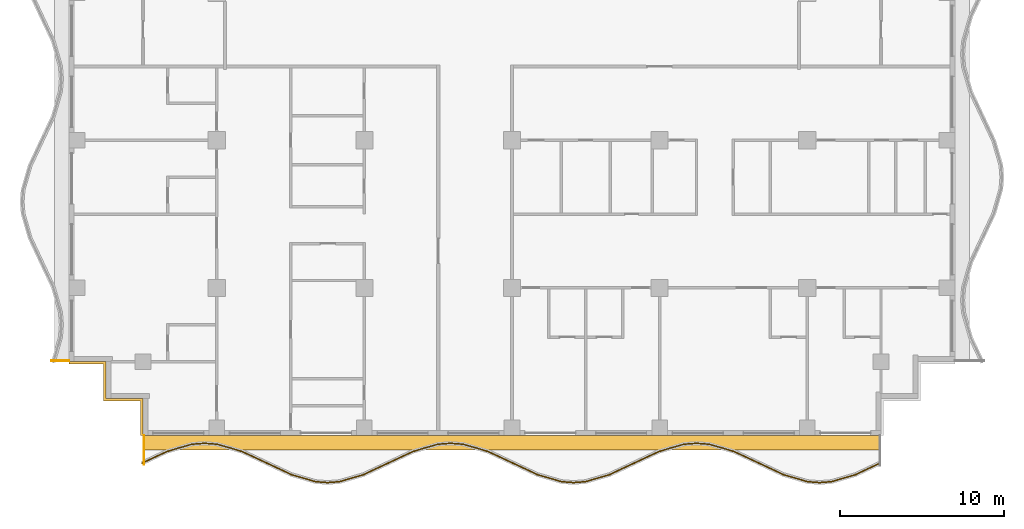
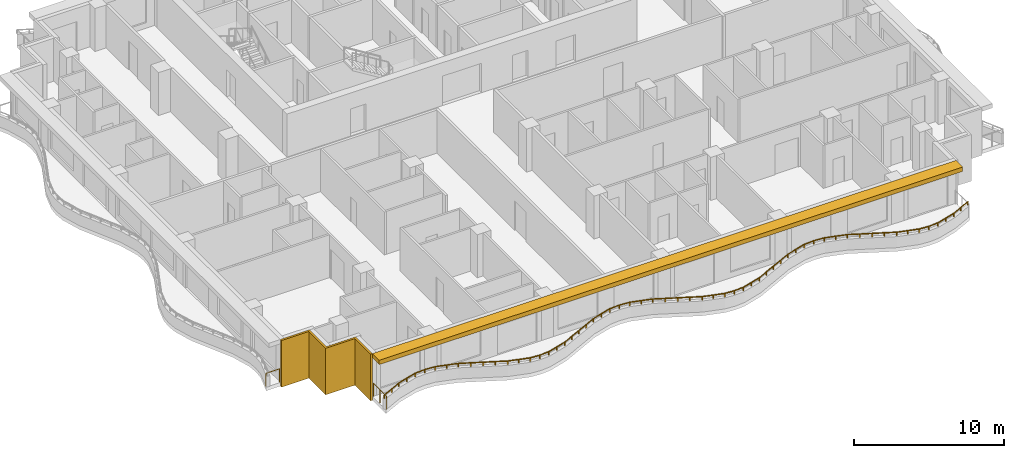
# One storey, part 8 of 11: 3 railings, 2 shading devices.
"""IFC4 building model written with IfcOpenShell, lengths in metres."""

import ifcopenshell
import ifcopenshell.guid

model = None  # the IFC model being written
_history = None  # IfcOwnerHistory: only IFC2X3 demands one
_inside = {}  # id of a spatial element -> (the spatial element, [elements in it])
_under = {}  # id of a project, library or spatial element -> (it, [spatial elements below it])
_declared = {}  # id of a project -> (the project, [libraries it declares])
_typed = {}  # id of a type object -> (the type object, [elements of that type])
_made_of = {}  # id of a material, layer set ... -> (it, [elements and type objects made of it])


def new_model(schema):
    """Start an empty IFC model of exactly this schema.

    Asked for "IFC4X3", IfcOpenShell would pick the latest addendum, in which some entities
    have other attributes; the version numbers below select the first issue.
    IFC2X3 requires an IfcOwnerHistory on every rooted entity: one is made here for all.
    """
    global model, _history
    if schema == "IFC4X3":
        model = ifcopenshell.file(schema_version=(4, 3, 0, 0))
    else:
        model = ifcopenshell.file(schema=schema)
    _inside.clear()
    _under.clear()
    _declared.clear()
    _typed.clear()
    _made_of.clear()
    _history = None
    if model.schema == "IFC2X3":
        org = make("IfcOrganization", Name="unknown")
        user = make(
            "IfcPersonAndOrganization",
            ThePerson=make("IfcPerson", FamilyName="unknown"),
            TheOrganization=org,
        )
        app = make(
            "IfcApplication",
            ApplicationDeveloper=org,
            Version="unknown",
            ApplicationFullName="unknown",
            ApplicationIdentifier="unknown",
        )
        _history = make(
            "IfcOwnerHistory",
            OwningUser=user,
            OwningApplication=app,
            ChangeAction="ADDED",
            CreationDate=0,
        )
    return model


def make(cls, **values):
    """One entity of the class cls with the attributes given. An attribute that is None is left unset."""
    return model.create_entity(
        cls, **{name: value for name, value in values.items() if value is not None}
    )


def rooted(cls, **values):
    """An entity with a GlobalId (a new one), such as an element, a storey or a relation."""
    return make(cls, GlobalId=ifcopenshell.guid.new(), OwnerHistory=_history, **values)


def si_unit(unit_type, name, prefix=None):
    """IfcSIUnit, for example si_unit("LENGTHUNIT", "METRE", prefix="MILLI")."""
    return make("IfcSIUnit", UnitType=unit_type, Prefix=prefix, Name=name)


def assignment(units):
    """IfcUnitAssignment: the units of a project."""
    return None if units is None else make("IfcUnitAssignment", Units=units)


def point(xyz):
    """IfcCartesianPoint."""
    return None if xyz is None else make("IfcCartesianPoint", Coordinates=xyz)


def direction(xyz):
    """IfcDirection."""
    return None if xyz is None else make("IfcDirection", DirectionRatios=xyz)


def frame(location, z_axis=None, x_axis=None):
    """IfcAxis2Placement3D, a coordinate frame: its origin and axes. An axis left out is left unset."""
    return make(
        "IfcAxis2Placement3D",
        Location=point(location),
        Axis=direction(z_axis),
        RefDirection=direction(x_axis),
    )


def frame_2d(location, x_axis=None):
    """IfcAxis2Placement2D, a coordinate frame in the plane: its origin and x axis."""
    return make(
        "IfcAxis2Placement2D", Location=point(location), RefDirection=direction(x_axis)
    )


def origin():
    """The frame at (0, 0, 0) with its axes left unset."""
    return frame((0.0, 0.0, 0.0))


def origin_2d():
    """The frame at (0, 0) in the plane with its x axis left unset."""
    return frame_2d((0.0, 0.0))


def place(relative_to, where):
    """IfcLocalPlacement: puts the frame where relative to a parent placement (None: the world)."""
    return make(
        "IfcLocalPlacement", PlacementRelTo=relative_to, RelativePlacement=where
    )


def context(
    kind, dimensions, precision=None, world=None, true_north=None, identifier=None
):
    """IfcGeometricRepresentationContext, for example the 3D "Model" context."""
    return make(
        "IfcGeometricRepresentationContext",
        ContextIdentifier=identifier,
        ContextType=kind,
        CoordinateSpaceDimension=dimensions,
        Precision=precision,
        WorldCoordinateSystem=world,
        TrueNorth=true_north,
    )


def subcontext(parent, identifier, kind, view, scale=None):
    """IfcGeometricRepresentationSubContext, for example "Body" below "Model"."""
    return make(
        "IfcGeometricRepresentationSubContext",
        ContextIdentifier=identifier,
        ContextType=kind,
        ParentContext=parent,
        TargetScale=scale,
        TargetView=view,
    )


def project(units=None, contexts=None):
    """IfcProject with its units and contexts."""
    return rooted(
        "IfcProject",
        Name="project",
        RepresentationContexts=contexts,
        UnitsInContext=assignment(units),
    )


def spatial(cls, under=None, at=None, **own):
    """A site, building, storey or space (cls), placed at a placement, below another one or the project."""
    s = rooted(cls, ObjectPlacement=at, **own)
    if under is not None:
        _under.setdefault(under.id(), (under, []))[1].append(s)
    return s


def polyline(points):
    """IfcPolyline through the points."""
    return make("IfcPolyline", Points=[point(p) for p in points])


def profile(cls, at=None, kind="AREA", **sizes):
    """A parametric profile (cls). Its sizes go by their IFC names, for example OverallWidth=200.0."""
    return make(cls, ProfileType=kind, Position=at, **sizes)


def rectangle(**sizes):
    """IfcRectangleProfileDef."""
    return profile("IfcRectangleProfileDef", **sizes)


def outline(outer, holes=None, kind="AREA"):
    """IfcArbitraryClosedProfileDef: a profile drawn as a closed curve; with holes, ...WithVoids."""
    if holes is None:
        return make("IfcArbitraryClosedProfileDef", ProfileType=kind, OuterCurve=outer)
    return make(
        "IfcArbitraryProfileDefWithVoids",
        ProfileType=kind,
        OuterCurve=outer,
        InnerCurves=holes,
    )


def extrude(swept, where, along, depth):
    """IfcExtrudedAreaSolid: the profile swept, set in the frame where, extruded along a direction by depth."""
    return make(
        "IfcExtrudedAreaSolid",
        SweptArea=swept,
        Position=where,
        ExtrudedDirection=direction(along),
        Depth=depth,
    )


def shape(context_of_items, identifier, shape_type, items):
    """IfcShapeRepresentation: the items that make up one representation, for example the "Body"."""
    return make(
        "IfcShapeRepresentation",
        ContextOfItems=context_of_items,
        RepresentationIdentifier=identifier,
        RepresentationType=shape_type,
        Items=items,
    )


def material(Name=None, Category=None):
    """IfcMaterial."""
    return make("IfcMaterial", Name=Name, Category=Category)


def layer(
    of_material, thickness, ventilated=None, Name=None, Category=None, Priority=None
):
    """IfcMaterialLayer: one layer of a wall or slab, of a material (None: an air gap)."""
    return make(
        "IfcMaterialLayer",
        Material=of_material,
        LayerThickness=thickness,
        IsVentilated=ventilated,
        Name=Name,
        Category=Category,
        Priority=Priority,
    )


def layer_set(layers, Name=None):
    """IfcMaterialLayerSet."""
    return make("IfcMaterialLayerSet", MaterialLayers=layers, LayerSetName=Name)


def made_of(thing, what):
    """Note that an element or type object is made of a material, layer set ...; save() writes the relation."""
    if what is not None:
        _made_of.setdefault(what.id(), (what, []))[1].append(thing)
    return thing


def type_object(cls, material=None, **own):
    """A type object (cls), such as IfcWallType, which elements share."""
    return made_of(rooted(cls, **own), material)


def element(
    cls,
    number,
    at=None,
    inside=None,
    cuts=None,
    type_object=None,
    material=None,
    context=None,
    identifier="Body",
    shape_type=None,
    held_by="IfcProductDefinitionShape",
    body=None,
    shapes=None,
    **own,
):
    """One element of the class cls, such as IfcWall. Its Tag is "e" and its number.

    at: its placement. inside: the storey or other place that contains it. cuts: it is an
    opening in that element (IfcRelVoidsElement). A single representation is given by context,
    identifier, shape_type and body (its items); several are given by shapes. held_by: the class
    of the entity that holds the representations. save() writes the other relations.
    """
    e = rooted(cls, Tag="e%d" % number, ObjectPlacement=at, **own)
    if body is not None:
        shapes = [shape(context, identifier, shape_type, body)]
    if shapes is not None:
        e.Representation = make(held_by, Representations=shapes)
    if inside is not None:
        _inside.setdefault(inside.id(), (inside, []))[1].append(e)
    if cuts is not None:
        rooted(
            "IfcRelVoidsElement", RelatingBuildingElement=cuts, RelatedOpeningElement=e
        )
    if type_object is not None:
        _typed.setdefault(type_object.id(), (type_object, []))[1].append(e)
    return made_of(e, material)


def aggregate(whole, parts):
    """IfcRelAggregates: a whole, such as a stair, and the parts it consists of."""
    return rooted("IfcRelAggregates", RelatingObject=whole, RelatedObjects=parts)


def save(model, path):
    """Write the relations noted so far, then the file.

    IfcRelAggregates (storeys below a building ...), IfcRelContainedInSpatialStructure (elements
    in a storey), IfcRelDefinesByType, IfcRelAssociatesMaterial and IfcRelDeclares: one each for
    every whole, place, type object, material and project.
    """
    for whole, parts in _under.values():
        aggregate(whole, parts)
    for where, things in _inside.values():
        rooted(
            "IfcRelContainedInSpatialStructure",
            RelatedElements=things,
            RelatingStructure=where,
        )
    for kind, things in _typed.values():
        rooted("IfcRelDefinesByType", RelatedObjects=things, RelatingType=kind)
    for what, things in _made_of.values():
        rooted("IfcRelAssociatesMaterial", RelatedObjects=things, RelatingMaterial=what)
    for by, libraries in _declared.values():
        rooted("IfcRelDeclares", RelatingContext=by, RelatedDefinitions=libraries)
    model.write(path)


model = new_model("IFC4")

# Units and contexts
model_context = context("Model", 3, precision=1e-05, world=origin(), true_north=direction((0.0, 1.0)))
body_context = subcontext(model_context, "Body", "Model", "MODEL_VIEW")
ifc_project = project(units=[si_unit("LENGTHUNIT", "METRE"), si_unit("AREAUNIT", "SQUARE_METRE"), si_unit("VOLUMEUNIT", "CUBIC_METRE"), si_unit("PLANEANGLEUNIT", "RADIAN"), si_unit("MASSUNIT", "GRAM", prefix="KILO")], contexts=[model_context])

# Site, building, storey
site_placement = place(None, origin())
site = spatial("IfcSite", under=ifc_project, at=site_placement, CompositionType="ELEMENT")
building_placement = place(site_placement, origin())
building = spatial("IfcBuilding", under=site, at=building_placement, Name="Orbiselva Terraces", CompositionType="ELEMENT")
storey_placement = place(building_placement, frame((0.0, 0.0, 226.2)))
storey = spatial("IfcBuildingStorey", under=building, at=storey_placement, Name="L57", CompositionType="ELEMENT", Elevation=226.2)

# Railings
ifc_material_1 = material(Name="Bonded two-ply safety glass balustrade, stainless steel posts", Category="steel")
railing_type_1 = type_object("IfcRailingType", Name="ENV-BALUSTRADE-1200", PredefinedType="BALUSTRADE", material=ifc_material_1)
railing_1_placement = place(storey_placement, frame((-22.553191, -24.186882, 0.9)))
element("IfcRailing", 1, at=railing_1_placement, inside=storey, type_object=railing_type_1, Name="Balcony balustrade L57 S", PredefinedType="BALUSTRADE", context=body_context, shape_type="SweptSolid", body=[
    extrude(outline(polyline([(0.028868, 0.0), (0.014434, 0.025), (-0.014434, 0.025), (-0.028868, 0.0), (-0.014434, -0.025), (0.014434, -0.025), (0.028868, 0.0)])), frame((0.0, 0.0, 0.275), z_axis=(0.904944157382, 0.425530342069, 0.0), x_axis=(-0.425530342069, 0.904944157382, 0.0)), (0.0, 0.0, 1.0), 1.667376),
    extrude(outline(polyline([(0.028868, 0.0), (0.014434, 0.025), (-0.014434, 0.025), (-0.028868, 0.0), (-0.014434, -0.025), (0.014434, -0.025), (0.028868, 0.0)])), frame((1.508882, 0.709519, 0.275), z_axis=(0.960270491427, 0.279070928786, 0.0), x_axis=(-0.279070928786, 0.960270491427, 0.0)), (0.0, 0.0, 1.0), 1.584712),
    extrude(outline(polyline([(0.028868, 0.0), (0.014434, 0.025), (-0.014434, 0.025), (-0.028868, 0.0), (-0.014434, -0.025), (0.014434, -0.025), (0.028868, 0.0)])), frame((3.030634, 1.151766, 0.275), z_axis=(0.996947796737, 0.078071061106, 0.0), x_axis=(-0.078071061106, 0.996947796737, 0.0)), (0.0, 0.0, 1.0), 0.774922),
    extrude(outline(polyline([(0.028868, 0.0), (0.014434, 0.025), (-0.014434, 0.025), (-0.028868, 0.0), (-0.014434, -0.025), (0.014434, -0.025), (0.028868, 0.0)])), frame((3.803191, 1.212265, 0.275), z_axis=(0.996947796737, -0.078071061106, 0.0), x_axis=(0.078071061106, 0.996947796737, 0.0)), (0.0, 0.0, 1.0), 0.774922),
    extrude(outline(polyline([(0.028868, 0.0), (0.014434, 0.025), (-0.014434, 0.025), (-0.028868, 0.0), (-0.014434, -0.025), (0.014434, -0.025), (0.028868, 0.0)])), frame((4.575748, 1.151766, 0.275), z_axis=(0.960270491427, -0.279070928786, 0.0), x_axis=(0.279070928786, 0.960270491427, 0.0)), (0.0, 0.0, 1.0), 1.584712),
    extrude(outline(polyline([(0.028868, 0.0), (0.014434, 0.025), (-0.014434, 0.025), (-0.028868, 0.0), (-0.014434, -0.025), (0.014434, -0.025), (0.028868, 0.0)])), frame((6.0975, 0.709519, 0.275), z_axis=(0.904944157382, -0.425530342069, 0.0), x_axis=(0.425530342069, 0.904944157382, 0.0)), (0.0, 0.0, 1.0), 1.667376),
    extrude(outline(polyline([(0.028868, 0.0), (0.014434, 0.025), (-0.014434, 0.025), (-0.028868, 0.0), (-0.014434, -0.025), (0.014434, -0.025), (0.028868, 0.0)])), frame((7.606382, 0.0, 0.275), z_axis=(0.904944359461, -0.425529912322, 0.0), x_axis=(0.425529912322, 0.904944359461, 0.0)), (0.0, 0.0, 1.0), 1.647746),
    extrude(outline(polyline([(0.028868, 0.0), (0.014434, 0.025), (-0.014434, 0.025), (-0.028868, 0.0), (-0.014434, -0.025), (0.014434, -0.025), (0.028868, 0.0)])), frame((9.0975, -0.701165, 0.275), z_axis=(0.960270317007, -0.279071528957, 0.0), x_axis=(0.279071528957, 0.960270317007, 0.0)), (0.0, 0.0, 1.0), 1.539408),
    extrude(outline(polyline([(0.028868, 0.0), (0.014434, 0.025), (-0.014434, 0.025), (-0.028868, 0.0), (-0.014434, -0.025), (0.014434, -0.025), (0.028868, 0.0)])), frame((10.575748, -1.13077, 0.275), z_axis=(0.996947916106, -0.078069536776, 0.0), x_axis=(0.078069536776, 0.996947916106, 0.0)), (0.0, 0.0, 1.0), 0.72967),
    extrude(outline(polyline([(0.028868, 0.0), (0.014434, 0.025), (-0.014434, 0.025), (-0.028868, 0.0), (-0.014434, -0.025), (0.014434, -0.025), (0.028868, 0.0)])), frame((11.303191, -1.187735, 0.275), z_axis=(0.996947916106, 0.078069536776, 0.0), x_axis=(-0.078069536776, 0.996947916106, 0.0)), (0.0, 0.0, 1.0), 0.72967),
    extrude(outline(polyline([(0.028868, 0.0), (0.014434, 0.025), (-0.014434, 0.025), (-0.028868, 0.0), (-0.014434, -0.025), (0.014434, -0.025), (0.028868, 0.0)])), frame((12.030634, -1.13077, 0.275), z_axis=(0.960270317007, 0.279071528957, 0.0), x_axis=(-0.279071528957, 0.960270317007, 0.0)), (0.0, 0.0, 1.0), 1.539408),
    extrude(outline(polyline([(0.028868, 0.0), (0.014434, 0.025), (-0.014434, 0.025), (-0.028868, 0.0), (-0.014434, -0.025), (0.014434, -0.025), (0.028868, 0.0)])), frame((13.508882, -0.701165, 0.275), z_axis=(0.904944359461, 0.425529912322, 0.0), x_axis=(-0.425529912322, 0.904944359461, 0.0)), (0.0, 0.0, 1.0), 1.647746),
    extrude(outline(polyline([(0.028868, 0.0), (0.014434, 0.025), (-0.014434, 0.025), (-0.028868, 0.0), (-0.014434, -0.025), (0.014434, -0.025), (0.028868, 0.0)])), frame((15.0, 0.0, 0.275), z_axis=(0.904944157382, 0.425530342069, 0.0), x_axis=(-0.425530342069, 0.904944157382, 0.0)), (0.0, 0.0, 1.0), 1.667376),
    extrude(outline(polyline([(0.028868, 0.0), (0.014434, 0.025), (-0.014434, 0.025), (-0.028868, 0.0), (-0.014434, -0.025), (0.014434, -0.025), (0.028868, 0.0)])), frame((16.508882, 0.709519, 0.275), z_axis=(0.960270491427, 0.279070928786, 0.0), x_axis=(-0.279070928786, 0.960270491427, 0.0)), (0.0, 0.0, 1.0), 1.584712),
    extrude(outline(polyline([(0.028868, 0.0), (0.014434, 0.025), (-0.014434, 0.025), (-0.028868, 0.0), (-0.014434, -0.025), (0.014434, -0.025), (0.028868, 0.0)])), frame((18.030634, 1.151766, 0.275), z_axis=(0.996947796737, 0.078071061106, 0.0), x_axis=(-0.078071061106, 0.996947796737, 0.0)), (0.0, 0.0, 1.0), 0.774922),
    extrude(outline(polyline([(0.028868, 0.0), (0.014434, 0.025), (-0.014434, 0.025), (-0.028868, 0.0), (-0.014434, -0.025), (0.014434, -0.025), (0.028868, 0.0)])), frame((18.803191, 1.212265, 0.275), z_axis=(0.996947796737, -0.078071061106, 0.0), x_axis=(0.078071061106, 0.996947796737, 0.0)), (0.0, 0.0, 1.0), 0.774922),
    extrude(outline(polyline([(0.028868, 0.0), (0.014434, 0.025), (-0.014434, 0.025), (-0.028868, 0.0), (-0.014434, -0.025), (0.014434, -0.025), (0.028868, 0.0)])), frame((19.575748, 1.151766, 0.275), z_axis=(0.960270491427, -0.279070928786, 0.0), x_axis=(0.279070928786, 0.960270491427, 0.0)), (0.0, 0.0, 1.0), 1.584712),
    extrude(outline(polyline([(0.028868, 0.0), (0.014434, 0.025), (-0.014434, 0.025), (-0.028868, 0.0), (-0.014434, -0.025), (0.014434, -0.025), (0.028868, 0.0)])), frame((21.0975, 0.709519, 0.275), z_axis=(0.904944157382, -0.425530342069, 0.0), x_axis=(0.425530342069, 0.904944157382, 0.0)), (0.0, 0.0, 1.0), 1.667376),
    extrude(outline(polyline([(0.028868, 0.0), (0.014434, 0.025), (-0.014434, 0.025), (-0.028868, 0.0), (-0.014434, -0.025), (0.014434, -0.025), (0.028868, 0.0)])), frame((22.606382, 0.0, 0.275), z_axis=(0.904944359461, -0.425529912322, 0.0), x_axis=(0.425529912322, 0.904944359461, 0.0)), (0.0, 0.0, 1.0), 1.647746),
    extrude(outline(polyline([(0.028868, 0.0), (0.014434, 0.025), (-0.014434, 0.025), (-0.028868, 0.0), (-0.014434, -0.025), (0.014434, -0.025), (0.028868, 0.0)])), frame((24.0975, -0.701165, 0.275), z_axis=(0.960270317007, -0.279071528957, 0.0), x_axis=(0.279071528957, 0.960270317007, 0.0)), (0.0, 0.0, 1.0), 1.539408),
    extrude(outline(polyline([(0.028868, 0.0), (0.014434, 0.025), (-0.014434, 0.025), (-0.028868, 0.0), (-0.014434, -0.025), (0.014434, -0.025), (0.028868, 0.0)])), frame((25.575748, -1.13077, 0.275), z_axis=(0.996947916106, -0.078069536776, 0.0), x_axis=(0.078069536776, 0.996947916106, 0.0)), (0.0, 0.0, 1.0), 0.72967),
    extrude(outline(polyline([(0.028868, 0.0), (0.014434, 0.025), (-0.014434, 0.025), (-0.028868, 0.0), (-0.014434, -0.025), (0.014434, -0.025), (0.028868, 0.0)])), frame((26.303191, -1.187735, 0.275), z_axis=(0.996947916106, 0.078069536776, 0.0), x_axis=(-0.078069536776, 0.996947916106, 0.0)), (0.0, 0.0, 1.0), 0.72967),
    extrude(outline(polyline([(0.028868, 0.0), (0.014434, 0.025), (-0.014434, 0.025), (-0.028868, 0.0), (-0.014434, -0.025), (0.014434, -0.025), (0.028868, 0.0)])), frame((27.030634, -1.13077, 0.275), z_axis=(0.960270317007, 0.279071528957, 0.0), x_axis=(-0.279071528957, 0.960270317007, 0.0)), (0.0, 0.0, 1.0), 1.539408),
    extrude(outline(polyline([(0.028868, 0.0), (0.014434, 0.025), (-0.014434, 0.025), (-0.028868, 0.0), (-0.014434, -0.025), (0.014434, -0.025), (0.028868, 0.0)])), frame((28.508882, -0.701165, 0.275), z_axis=(0.904944359461, 0.425529912322, 0.0), x_axis=(-0.425529912322, 0.904944359461, 0.0)), (0.0, 0.0, 1.0), 1.647746),
    extrude(outline(polyline([(0.028868, 0.0), (0.014434, 0.025), (-0.014434, 0.025), (-0.028868, 0.0), (-0.014434, -0.025), (0.014434, -0.025), (0.028868, 0.0)])), frame((30.0, 0.0, 0.275), z_axis=(0.904944157382, 0.425530342069, 0.0), x_axis=(-0.425530342069, 0.904944157382, 0.0)), (0.0, 0.0, 1.0), 1.667376),
    extrude(outline(polyline([(0.028868, 0.0), (0.014434, 0.025), (-0.014434, 0.025), (-0.028868, 0.0), (-0.014434, -0.025), (0.014434, -0.025), (0.028868, 0.0)])), frame((31.508882, 0.709519, 0.275), z_axis=(0.960270491427, 0.279070928786, 0.0), x_axis=(-0.279070928786, 0.960270491427, 0.0)), (0.0, 0.0, 1.0), 1.584712),
    extrude(outline(polyline([(0.028868, 0.0), (0.014434, 0.025), (-0.014434, 0.025), (-0.028868, 0.0), (-0.014434, -0.025), (0.014434, -0.025), (0.028868, 0.0)])), frame((33.030634, 1.151766, 0.275), z_axis=(0.996947796737, 0.078071061106, 0.0), x_axis=(-0.078071061106, 0.996947796737, 0.0)), (0.0, 0.0, 1.0), 0.774922),
    extrude(outline(polyline([(0.028868, 0.0), (0.014434, 0.025), (-0.014434, 0.025), (-0.028868, 0.0), (-0.014434, -0.025), (0.014434, -0.025), (0.028868, 0.0)])), frame((33.803191, 1.212265, 0.275), z_axis=(0.996947796737, -0.078071061106, 0.0), x_axis=(0.078071061106, 0.996947796737, 0.0)), (0.0, 0.0, 1.0), 0.774922),
    extrude(outline(polyline([(0.028868, 0.0), (0.014434, 0.025), (-0.014434, 0.025), (-0.028868, 0.0), (-0.014434, -0.025), (0.014434, -0.025), (0.028868, 0.0)])), frame((34.575748, 1.151766, 0.275), z_axis=(0.960270491427, -0.279070928786, 0.0), x_axis=(0.279070928786, 0.960270491427, 0.0)), (0.0, 0.0, 1.0), 1.584712),
    extrude(outline(polyline([(0.028868, 0.0), (0.014434, 0.025), (-0.014434, 0.025), (-0.028868, 0.0), (-0.014434, -0.025), (0.014434, -0.025), (0.028868, 0.0)])), frame((36.0975, 0.709519, 0.275), z_axis=(0.904944157382, -0.425530342069, 0.0), x_axis=(0.425530342069, 0.904944157382, 0.0)), (0.0, 0.0, 1.0), 1.667376),
    extrude(outline(polyline([(0.028868, 0.0), (0.014434, 0.025), (-0.014434, 0.025), (-0.028868, 0.0), (-0.014434, -0.025), (0.014434, -0.025), (0.028868, 0.0)])), frame((37.606382, 0.0, 0.275), z_axis=(0.904944359461, -0.425529912322, 0.0), x_axis=(0.425529912322, 0.904944359461, 0.0)), (0.0, 0.0, 1.0), 1.647746),
    extrude(outline(polyline([(0.028868, 0.0), (0.014434, 0.025), (-0.014434, 0.025), (-0.028868, 0.0), (-0.014434, -0.025), (0.014434, -0.025), (0.028868, 0.0)])), frame((39.0975, -0.701165, 0.275), z_axis=(0.960270317007, -0.279071528957, 0.0), x_axis=(0.279071528957, 0.960270317007, 0.0)), (0.0, 0.0, 1.0), 1.539408),
    extrude(outline(polyline([(0.028868, 0.0), (0.014434, 0.025), (-0.014434, 0.025), (-0.028868, 0.0), (-0.014434, -0.025), (0.014434, -0.025), (0.028868, 0.0)])), frame((40.575748, -1.13077, 0.275), z_axis=(0.996947916106, -0.078069536776, 0.0), x_axis=(0.078069536776, 0.996947916106, 0.0)), (0.0, 0.0, 1.0), 0.72967),
    extrude(outline(polyline([(0.028868, 0.0), (0.014434, 0.025), (-0.014434, 0.025), (-0.028868, 0.0), (-0.014434, -0.025), (0.014434, -0.025), (0.028868, 0.0)])), frame((41.303191, -1.187735, 0.275), z_axis=(0.996947916106, 0.078069536776, 0.0), x_axis=(-0.078069536776, 0.996947916106, 0.0)), (0.0, 0.0, 1.0), 0.72967),
    extrude(outline(polyline([(0.028868, 0.0), (0.014434, 0.025), (-0.014434, 0.025), (-0.028868, 0.0), (-0.014434, -0.025), (0.014434, -0.025), (0.028868, 0.0)])), frame((42.030634, -1.13077, 0.275), z_axis=(0.960270317007, 0.279071528957, 0.0), x_axis=(-0.279071528957, 0.960270317007, 0.0)), (0.0, 0.0, 1.0), 1.539408),
    extrude(outline(polyline([(0.028868, 0.0), (0.014434, 0.025), (-0.014434, 0.025), (-0.028868, 0.0), (-0.014434, -0.025), (0.014434, -0.025), (0.028868, 0.0)])), frame((43.508882, -0.701165, 0.275), z_axis=(0.904944359461, 0.425529912322, 0.0), x_axis=(-0.425529912322, 0.904944359461, 0.0)), (0.0, 0.0, 1.0), 1.647746),
    extrude(rectangle(XDim=0.05, YDim=0.05, at=origin_2d()), origin(), (0.0, 0.0, 1.0), 0.25),
    extrude(rectangle(XDim=0.05, YDim=0.05, at=origin_2d()), frame((0.754441, 0.35476, 0.0)), (0.0, 0.0, 1.0), 0.25),
    extrude(rectangle(XDim=0.05, YDim=0.05, at=origin_2d()), frame((1.508882, 0.709519, 0.0)), (0.0, 0.0, 1.0), 0.25),
    extrude(rectangle(XDim=0.05, YDim=0.05, at=origin_2d()), frame((2.269758, 0.930643, 0.0)), (0.0, 0.0, 1.0), 0.25),
    extrude(rectangle(XDim=0.05, YDim=0.05, at=origin_2d()), frame((3.030634, 1.151766, 0.0)), (0.0, 0.0, 1.0), 0.25),
    extrude(rectangle(XDim=0.05, YDim=0.05, at=origin_2d()), frame((3.803191, 1.212265, 0.0)), (0.0, 0.0, 1.0), 0.25),
    extrude(rectangle(XDim=0.05, YDim=0.05, at=origin_2d()), frame((4.575748, 1.151766, 0.0)), (0.0, 0.0, 1.0), 0.25),
    extrude(rectangle(XDim=0.05, YDim=0.05, at=origin_2d()), frame((5.336624, 0.930643, 0.0)), (0.0, 0.0, 1.0), 0.25),
    extrude(rectangle(XDim=0.05, YDim=0.05, at=origin_2d()), frame((6.0975, 0.709519, 0.0)), (0.0, 0.0, 1.0), 0.25),
    extrude(rectangle(XDim=0.05, YDim=0.05, at=origin_2d()), frame((6.851941, 0.35476, 0.0)), (0.0, 0.0, 1.0), 0.25),
    extrude(rectangle(XDim=0.05, YDim=0.05, at=origin_2d()), frame((7.606382, 0.0, 0.0)), (0.0, 0.0, 1.0), 0.25),
    extrude(rectangle(XDim=0.05, YDim=0.05, at=origin_2d()), frame((8.351941, -0.350582, 0.0)), (0.0, 0.0, 1.0), 0.25),
    extrude(rectangle(XDim=0.05, YDim=0.05, at=origin_2d()), frame((9.0975, -0.701165, 0.0)), (0.0, 0.0, 1.0), 0.25),
    extrude(rectangle(XDim=0.05, YDim=0.05, at=origin_2d()), frame((9.836624, -0.915967, 0.0)), (0.0, 0.0, 1.0), 0.25),
    extrude(rectangle(XDim=0.05, YDim=0.05, at=origin_2d()), frame((10.575748, -1.13077, 0.0)), (0.0, 0.0, 1.0), 0.25),
    extrude(rectangle(XDim=0.05, YDim=0.05, at=origin_2d()), frame((11.303191, -1.187735, 0.0)), (0.0, 0.0, 1.0), 0.25),
    extrude(rectangle(XDim=0.05, YDim=0.05, at=origin_2d()), frame((12.030634, -1.13077, 0.0)), (0.0, 0.0, 1.0), 0.25),
    extrude(rectangle(XDim=0.05, YDim=0.05, at=origin_2d()), frame((12.769758, -0.915967, 0.0)), (0.0, 0.0, 1.0), 0.25),
    extrude(rectangle(XDim=0.05, YDim=0.05, at=origin_2d()), frame((13.508882, -0.701165, 0.0)), (0.0, 0.0, 1.0), 0.25),
    extrude(rectangle(XDim=0.05, YDim=0.05, at=origin_2d()), frame((14.254441, -0.350582, 0.0)), (0.0, 0.0, 1.0), 0.25),
    extrude(rectangle(XDim=0.05, YDim=0.05, at=origin_2d()), frame((15.0, 0.0, 0.0)), (0.0, 0.0, 1.0), 0.25),
    extrude(rectangle(XDim=0.05, YDim=0.05, at=origin_2d()), frame((15.754441, 0.35476, 0.0)), (0.0, 0.0, 1.0), 0.25),
    extrude(rectangle(XDim=0.05, YDim=0.05, at=origin_2d()), frame((16.508882, 0.709519, 0.0)), (0.0, 0.0, 1.0), 0.25),
    extrude(rectangle(XDim=0.05, YDim=0.05, at=origin_2d()), frame((17.269758, 0.930643, 0.0)), (0.0, 0.0, 1.0), 0.25),
    extrude(rectangle(XDim=0.05, YDim=0.05, at=origin_2d()), frame((18.030634, 1.151766, 0.0)), (0.0, 0.0, 1.0), 0.25),
    extrude(rectangle(XDim=0.05, YDim=0.05, at=origin_2d()), frame((18.803191, 1.212265, 0.0)), (0.0, 0.0, 1.0), 0.25),
    extrude(rectangle(XDim=0.05, YDim=0.05, at=origin_2d()), frame((19.575748, 1.151766, 0.0)), (0.0, 0.0, 1.0), 0.25),
    extrude(rectangle(XDim=0.05, YDim=0.05, at=origin_2d()), frame((20.336624, 0.930643, 0.0)), (0.0, 0.0, 1.0), 0.25),
    extrude(rectangle(XDim=0.05, YDim=0.05, at=origin_2d()), frame((21.0975, 0.709519, 0.0)), (0.0, 0.0, 1.0), 0.25),
    extrude(rectangle(XDim=0.05, YDim=0.05, at=origin_2d()), frame((21.851941, 0.35476, 0.0)), (0.0, 0.0, 1.0), 0.25),
    extrude(rectangle(XDim=0.05, YDim=0.05, at=origin_2d()), frame((22.606382, 0.0, 0.0)), (0.0, 0.0, 1.0), 0.25),
    extrude(rectangle(XDim=0.05, YDim=0.05, at=origin_2d()), frame((23.351941, -0.350582, 0.0)), (0.0, 0.0, 1.0), 0.25),
    extrude(rectangle(XDim=0.05, YDim=0.05, at=origin_2d()), frame((24.0975, -0.701165, 0.0)), (0.0, 0.0, 1.0), 0.25),
    extrude(rectangle(XDim=0.05, YDim=0.05, at=origin_2d()), frame((24.836624, -0.915967, 0.0)), (0.0, 0.0, 1.0), 0.25),
    extrude(rectangle(XDim=0.05, YDim=0.05, at=origin_2d()), frame((25.575748, -1.13077, 0.0)), (0.0, 0.0, 1.0), 0.25),
    extrude(rectangle(XDim=0.05, YDim=0.05, at=origin_2d()), frame((26.303191, -1.187735, 0.0)), (0.0, 0.0, 1.0), 0.25),
    extrude(rectangle(XDim=0.05, YDim=0.05, at=origin_2d()), frame((27.030634, -1.13077, 0.0)), (0.0, 0.0, 1.0), 0.25),
    extrude(rectangle(XDim=0.05, YDim=0.05, at=origin_2d()), frame((27.769758, -0.915967, 0.0)), (0.0, 0.0, 1.0), 0.25),
    extrude(rectangle(XDim=0.05, YDim=0.05, at=origin_2d()), frame((28.508882, -0.701165, 0.0)), (0.0, 0.0, 1.0), 0.25),
    extrude(rectangle(XDim=0.05, YDim=0.05, at=origin_2d()), frame((29.254441, -0.350582, 0.0)), (0.0, 0.0, 1.0), 0.25),
    extrude(rectangle(XDim=0.05, YDim=0.05, at=origin_2d()), frame((30.0, 0.0, 0.0)), (0.0, 0.0, 1.0), 0.25),
    extrude(rectangle(XDim=0.05, YDim=0.05, at=origin_2d()), frame((30.754441, 0.35476, 0.0)), (0.0, 0.0, 1.0), 0.25),
    extrude(rectangle(XDim=0.05, YDim=0.05, at=origin_2d()), frame((31.508882, 0.709519, 0.0)), (0.0, 0.0, 1.0), 0.25),
    extrude(rectangle(XDim=0.05, YDim=0.05, at=origin_2d()), frame((32.269758, 0.930643, 0.0)), (0.0, 0.0, 1.0), 0.25),
    extrude(rectangle(XDim=0.05, YDim=0.05, at=origin_2d()), frame((33.030634, 1.151766, 0.0)), (0.0, 0.0, 1.0), 0.25),
    extrude(rectangle(XDim=0.05, YDim=0.05, at=origin_2d()), frame((33.803191, 1.212265, 0.0)), (0.0, 0.0, 1.0), 0.25),
    extrude(rectangle(XDim=0.05, YDim=0.05, at=origin_2d()), frame((34.575748, 1.151766, 0.0)), (0.0, 0.0, 1.0), 0.25),
    extrude(rectangle(XDim=0.05, YDim=0.05, at=origin_2d()), frame((35.336624, 0.930643, 0.0)), (0.0, 0.0, 1.0), 0.25),
    extrude(rectangle(XDim=0.05, YDim=0.05, at=origin_2d()), frame((36.0975, 0.709519, 0.0)), (0.0, 0.0, 1.0), 0.25),
    extrude(rectangle(XDim=0.05, YDim=0.05, at=origin_2d()), frame((36.851941, 0.35476, 0.0)), (0.0, 0.0, 1.0), 0.25),
    extrude(rectangle(XDim=0.05, YDim=0.05, at=origin_2d()), frame((37.606382, 0.0, 0.0)), (0.0, 0.0, 1.0), 0.25),
    extrude(rectangle(XDim=0.05, YDim=0.05, at=origin_2d()), frame((38.351941, -0.350582, 0.0)), (0.0, 0.0, 1.0), 0.25),
    extrude(rectangle(XDim=0.05, YDim=0.05, at=origin_2d()), frame((39.0975, -0.701165, 0.0)), (0.0, 0.0, 1.0), 0.25),
    extrude(rectangle(XDim=0.05, YDim=0.05, at=origin_2d()), frame((39.836624, -0.915967, 0.0)), (0.0, 0.0, 1.0), 0.25),
    extrude(rectangle(XDim=0.05, YDim=0.05, at=origin_2d()), frame((40.575748, -1.13077, 0.0)), (0.0, 0.0, 1.0), 0.25),
    extrude(rectangle(XDim=0.05, YDim=0.05, at=origin_2d()), frame((41.303191, -1.187735, 0.0)), (0.0, 0.0, 1.0), 0.25),
    extrude(rectangle(XDim=0.05, YDim=0.05, at=origin_2d()), frame((42.030634, -1.13077, 0.0)), (0.0, 0.0, 1.0), 0.25),
    extrude(rectangle(XDim=0.05, YDim=0.05, at=origin_2d()), frame((42.769758, -0.915967, 0.0)), (0.0, 0.0, 1.0), 0.25),
    extrude(rectangle(XDim=0.05, YDim=0.05, at=origin_2d()), frame((43.508882, -0.701165, 0.0)), (0.0, 0.0, 1.0), 0.25),
    extrude(rectangle(XDim=0.05, YDim=0.05, at=origin_2d()), frame((44.254441, -0.350582, 0.0)), (0.0, 0.0, 1.0), 0.25),
    extrude(rectangle(XDim=0.05, YDim=0.05, at=origin_2d()), frame((45.0, 0.0, 0.0)), (0.0, 0.0, 1.0), 0.25),
])
ifc_material_2 = material(Name="Stainless steel rail and posts", Category="steel")
railing_type_2 = type_object("IfcRailingType", Name="ENV-GUARD-1105", PredefinedType="BALUSTRADE", material=ifc_material_2)
railing_2_placement = place(storey_placement, frame((-22.44, -24.269844, 0.0)))
element("IfcRailing", 2, at=railing_2_placement, inside=storey, type_object=railing_type_2, Name="Balcony end guard L57 S", PredefinedType="BALUSTRADE", context=body_context, shape_type="SweptSolid", body=[
    extrude(outline(polyline([(0.028868, 0.0), (0.014434, 0.025), (-0.014434, 0.025), (-0.028868, 0.0), (-0.014434, -0.025), (0.014434, -0.025), (0.028868, 0.0)])), frame((0.0, 0.0, 1.08), z_axis=(0.0, 1.0, 0.0), x_axis=(-1.0, 0.0, 0.0)), (0.0, 0.0, 1.0), 1.744844),
    extrude(rectangle(XDim=0.05, YDim=0.05, at=origin_2d()), origin(), (0.0, 0.0, 1.0), 1.055),
    extrude(rectangle(XDim=0.05, YDim=0.05, at=origin_2d()), frame((0.0, 0.872422, 0.0)), (0.0, 0.0, 1.0), 1.055),
    extrude(rectangle(XDim=0.05, YDim=0.05, at=origin_2d()), frame((0.0, 1.744844, 0.0)), (0.0, 0.0, 1.0), 1.055),
])
railing_3_placement = place(storey_placement, frame((-28.070484, -17.94, 0.0)))
element("IfcRailing", 3, at=railing_3_placement, inside=storey, type_object=railing_type_2, Name="Balcony end guard L57 W", PredefinedType="BALUSTRADE", context=body_context, shape_type="SweptSolid", body=[
    extrude(outline(polyline([(0.028868, 0.0), (0.014434, 0.025), (-0.014434, 0.025), (-0.028868, 0.0), (-0.014434, -0.025), (0.014434, -0.025), (0.028868, 0.0)])), frame((0.0, 0.0, 1.08), z_axis=(1.0, 0.0, 0.0), x_axis=(0.0, 1.0, 0.0)), (0.0, 0.0, 1.0), 1.045484),
    extrude(rectangle(XDim=0.05, YDim=0.05, at=origin_2d()), origin(), (0.0, 0.0, 1.0), 1.055),
    extrude(rectangle(XDim=0.05, YDim=0.05, at=origin_2d()), frame((1.045484, 0.0, 0.0)), (0.0, 0.0, 1.0), 1.055),
])

# Shading devices
ifc_material_3 = material(Name="Terracotta louvre screen", Category="masonry")
ifc_layer_1 = layer(ifc_material_3, 0.15)
ifc_layer_set_1 = layer_set([ifc_layer_1], Name="Terracotta louvre screen")
shading_device_type_1 = type_object("IfcShadingDeviceType", Name="ENV-SCREEN-150", PredefinedType="USERDEFINED", material=ifc_layer_set_1)
shading_device_1_placement = place(storey_placement, frame((0.0, 0.0, -0.3)))
element("IfcShadingDevice", 4, at=shading_device_1_placement, inside=storey, type_object=shading_device_type_1, Name="Louvre screen L57 SW", ObjectType="SCREEN", PredefinedType="USERDEFINED", context=body_context, shape_type="SweptSolid", body=[
    extrude(outline(polyline([(-27.0, -18.15), (-24.9, -18.15), (-24.9, -20.4), (-22.65, -20.4), (-22.65, -22.5), (-22.5, -22.5), (-22.5, -20.25), (-24.75, -20.25), (-24.75, -18.0), (-27.0, -18.0), (-27.0, -18.15)])), origin(), (0.0, 0.0, 1.0), 3.8),
])
ifc_material_4 = material(Name="Terracotta baguette sunshade", Category="masonry")
ifc_layer_2 = layer(ifc_material_4, 0.35)
ifc_layer_set_2 = layer_set([ifc_layer_2], Name="Terracotta baguette sunshade")
shading_device_type_2 = type_object("IfcShadingDeviceType", Name="ENV-SUNSHADE-900x350", PredefinedType="USERDEFINED", material=ifc_layer_set_2)
shading_device_2_placement = place(storey_placement, frame((0.0, 0.0, 3.15)))
element("IfcShadingDevice", 5, at=shading_device_2_placement, inside=storey, type_object=shading_device_type_2, Name="Sunshade band L57 S", ObjectType="SUNSHADE", PredefinedType="USERDEFINED", context=body_context, shape_type="SweptSolid", body=[
    extrude(outline(polyline([(-22.5, -23.4), (22.5, -23.4), (22.5, -22.5), (-22.5, -22.5), (-22.5, -23.4)])), origin(), (0.0, 0.0, 1.0), 0.35),
])

save(model, "model.ifc")
